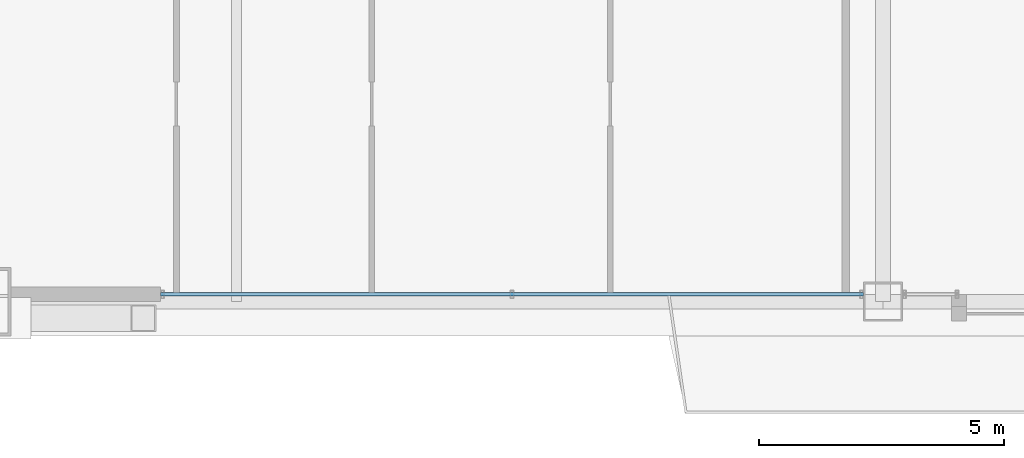
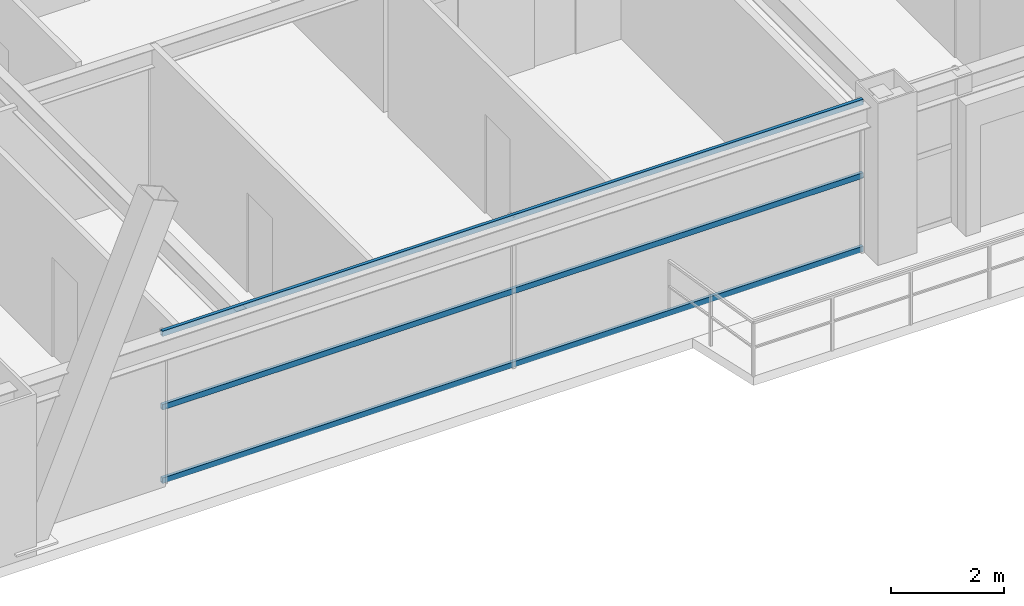
# One storey, part 7 of 45: 3 members, 1 element without a shape of its own.
"""IFC4 building model written with IfcOpenShell, lengths in metres."""

import ifcopenshell
import ifcopenshell.guid

model = None  # the IFC model being written
_history = None  # IfcOwnerHistory: only IFC2X3 demands one
_inside = {}  # id of a spatial element -> (the spatial element, [elements in it])
_under = {}  # id of a project, library or spatial element -> (it, [spatial elements below it])
_declared = {}  # id of a project -> (the project, [libraries it declares])
_typed = {}  # id of a type object -> (the type object, [elements of that type])
_made_of = {}  # id of a material, layer set ... -> (it, [elements and type objects made of it])


def new_model(schema):
    """Start an empty IFC model of exactly this schema.

    Asked for "IFC4X3", IfcOpenShell would pick the latest addendum, in which some entities
    have other attributes; the version numbers below select the first issue.
    IFC2X3 requires an IfcOwnerHistory on every rooted entity: one is made here for all.
    """
    global model, _history
    if schema == "IFC4X3":
        model = ifcopenshell.file(schema_version=(4, 3, 0, 0))
    else:
        model = ifcopenshell.file(schema=schema)
    _inside.clear()
    _under.clear()
    _declared.clear()
    _typed.clear()
    _made_of.clear()
    _history = None
    if model.schema == "IFC2X3":
        org = make("IfcOrganization", Name="unknown")
        user = make(
            "IfcPersonAndOrganization",
            ThePerson=make("IfcPerson", FamilyName="unknown"),
            TheOrganization=org,
        )
        app = make(
            "IfcApplication",
            ApplicationDeveloper=org,
            Version="unknown",
            ApplicationFullName="unknown",
            ApplicationIdentifier="unknown",
        )
        _history = make(
            "IfcOwnerHistory",
            OwningUser=user,
            OwningApplication=app,
            ChangeAction="ADDED",
            CreationDate=0,
        )
    return model


def make(cls, **values):
    """One entity of the class cls with the attributes given. An attribute that is None is left unset."""
    return model.create_entity(
        cls, **{name: value for name, value in values.items() if value is not None}
    )


def rooted(cls, **values):
    """An entity with a GlobalId (a new one), such as an element, a storey or a relation."""
    return make(cls, GlobalId=ifcopenshell.guid.new(), OwnerHistory=_history, **values)


def si_unit(unit_type, name, prefix=None):
    """IfcSIUnit, for example si_unit("LENGTHUNIT", "METRE", prefix="MILLI")."""
    return make("IfcSIUnit", UnitType=unit_type, Prefix=prefix, Name=name)


def assignment(units):
    """IfcUnitAssignment: the units of a project."""
    return None if units is None else make("IfcUnitAssignment", Units=units)


def point(xyz):
    """IfcCartesianPoint."""
    return None if xyz is None else make("IfcCartesianPoint", Coordinates=xyz)


def direction(xyz):
    """IfcDirection."""
    return None if xyz is None else make("IfcDirection", DirectionRatios=xyz)


def frame(location, z_axis=None, x_axis=None):
    """IfcAxis2Placement3D, a coordinate frame: its origin and axes. An axis left out is left unset."""
    return make(
        "IfcAxis2Placement3D",
        Location=point(location),
        Axis=direction(z_axis),
        RefDirection=direction(x_axis),
    )


def frame_2d(location, x_axis=None):
    """IfcAxis2Placement2D, a coordinate frame in the plane: its origin and x axis."""
    return make(
        "IfcAxis2Placement2D", Location=point(location), RefDirection=direction(x_axis)
    )


def origin():
    """The frame at (0, 0, 0) with its axes left unset."""
    return frame((0.0, 0.0, 0.0))


def origin_2d():
    """The frame at (0, 0) in the plane with its x axis left unset."""
    return frame_2d((0.0, 0.0))


def place(relative_to, where):
    """IfcLocalPlacement: puts the frame where relative to a parent placement (None: the world)."""
    return make(
        "IfcLocalPlacement", PlacementRelTo=relative_to, RelativePlacement=where
    )


def context(
    kind, dimensions, precision=None, world=None, true_north=None, identifier=None
):
    """IfcGeometricRepresentationContext, for example the 3D "Model" context."""
    return make(
        "IfcGeometricRepresentationContext",
        ContextIdentifier=identifier,
        ContextType=kind,
        CoordinateSpaceDimension=dimensions,
        Precision=precision,
        WorldCoordinateSystem=world,
        TrueNorth=true_north,
    )


def subcontext(parent, identifier, kind, view, scale=None):
    """IfcGeometricRepresentationSubContext, for example "Body" below "Model"."""
    return make(
        "IfcGeometricRepresentationSubContext",
        ContextIdentifier=identifier,
        ContextType=kind,
        ParentContext=parent,
        TargetScale=scale,
        TargetView=view,
    )


def project(units=None, contexts=None):
    """IfcProject with its units and contexts."""
    return rooted(
        "IfcProject",
        Name="project",
        RepresentationContexts=contexts,
        UnitsInContext=assignment(units),
    )


def spatial(cls, under=None, at=None, **own):
    """A site, building, storey or space (cls), placed at a placement, below another one or the project."""
    s = rooted(cls, ObjectPlacement=at, **own)
    if under is not None:
        _under.setdefault(under.id(), (under, []))[1].append(s)
    return s


def profile(cls, at=None, kind="AREA", **sizes):
    """A parametric profile (cls). Its sizes go by their IFC names, for example OverallWidth=200.0."""
    return make(cls, ProfileType=kind, Position=at, **sizes)


def hollow_rectangle(**sizes):
    """IfcRectangleHollowProfileDef."""
    return profile("IfcRectangleHollowProfileDef", **sizes)


def extrude(swept, where, along, depth):
    """IfcExtrudedAreaSolid: the profile swept, set in the frame where, extruded along a direction by depth."""
    return make(
        "IfcExtrudedAreaSolid",
        SweptArea=swept,
        Position=where,
        ExtrudedDirection=direction(along),
        Depth=depth,
    )


def shape(context_of_items, identifier, shape_type, items):
    """IfcShapeRepresentation: the items that make up one representation, for example the "Body"."""
    return make(
        "IfcShapeRepresentation",
        ContextOfItems=context_of_items,
        RepresentationIdentifier=identifier,
        RepresentationType=shape_type,
        Items=items,
    )


def source(mapping_origin, context_of_items, identifier, shape_type, items):
    """IfcRepresentationMap: a shape defined once, which mapped items show again and again."""
    return make(
        "IfcRepresentationMap",
        MappingOrigin=mapping_origin,
        MappedRepresentation=shape(context_of_items, identifier, shape_type, items),
    )


def transform(
    local_origin,
    x_axis=None,
    y_axis=None,
    z_axis=None,
    scale=None,
    scale2=None,
    scale3=None,
    uniform=True,
):
    """IfcCartesianTransformationOperator3D, or its non-uniform kind. x_axis, y_axis, z_axis: its Axis1, 2, 3."""
    if uniform:
        return make(
            "IfcCartesianTransformationOperator3D",
            Axis1=direction(x_axis),
            Axis2=direction(y_axis),
            LocalOrigin=point(local_origin),
            Scale=scale,
            Axis3=direction(z_axis),
        )
    return make(
        "IfcCartesianTransformationOperator3DnonUniform",
        Axis1=direction(x_axis),
        Axis2=direction(y_axis),
        LocalOrigin=point(local_origin),
        Scale=scale,
        Axis3=direction(z_axis),
        Scale2=scale2,
        Scale3=scale3,
    )


def mapped(mapping_source, mapping_target):
    """IfcMappedItem: shows the shape of a source again, moved by a transform."""
    return make(
        "IfcMappedItem", MappingSource=mapping_source, MappingTarget=mapping_target
    )


def material(Name=None, Category=None):
    """IfcMaterial."""
    return make("IfcMaterial", Name=Name, Category=Category)


def layer(
    of_material, thickness, ventilated=None, Name=None, Category=None, Priority=None
):
    """IfcMaterialLayer: one layer of a wall or slab, of a material (None: an air gap)."""
    return make(
        "IfcMaterialLayer",
        Material=of_material,
        LayerThickness=thickness,
        IsVentilated=ventilated,
        Name=Name,
        Category=Category,
        Priority=Priority,
    )


def layer_set(layers, Name=None):
    """IfcMaterialLayerSet."""
    return make("IfcMaterialLayerSet", MaterialLayers=layers, LayerSetName=Name)


def material_profile(
    of_material, cross_section, Name=None, Category=None, Priority=None
):
    """IfcMaterialProfile: a cross section and its material."""
    return make(
        "IfcMaterialProfile",
        Name=Name,
        Material=of_material,
        Profile=cross_section,
        Priority=Priority,
        Category=Category,
    )


def profile_set(profiles, Name=None, composite=None):
    """IfcMaterialProfileSet."""
    return make(
        "IfcMaterialProfileSet",
        Name=Name,
        MaterialProfiles=profiles,
        CompositeProfile=composite,
    )


def made_of(thing, what):
    """Note that an element or type object is made of a material, layer set ...; save() writes the relation."""
    if what is not None:
        _made_of.setdefault(what.id(), (what, []))[1].append(thing)
    return thing


def type_object(cls, material=None, **own):
    """A type object (cls), such as IfcWallType, which elements share."""
    return made_of(rooted(cls, **own), material)


def element(
    cls,
    number,
    at=None,
    inside=None,
    cuts=None,
    type_object=None,
    material=None,
    context=None,
    identifier="Body",
    shape_type=None,
    held_by="IfcProductDefinitionShape",
    body=None,
    shapes=None,
    **own,
):
    """One element of the class cls, such as IfcWall. Its Tag is "e" and its number.

    at: its placement. inside: the storey or other place that contains it. cuts: it is an
    opening in that element (IfcRelVoidsElement). A single representation is given by context,
    identifier, shape_type and body (its items); several are given by shapes. held_by: the class
    of the entity that holds the representations. save() writes the other relations.
    """
    e = rooted(cls, Tag="e%d" % number, ObjectPlacement=at, **own)
    if body is not None:
        shapes = [shape(context, identifier, shape_type, body)]
    if shapes is not None:
        e.Representation = make(held_by, Representations=shapes)
    if inside is not None:
        _inside.setdefault(inside.id(), (inside, []))[1].append(e)
    if cuts is not None:
        rooted(
            "IfcRelVoidsElement", RelatingBuildingElement=cuts, RelatedOpeningElement=e
        )
    if type_object is not None:
        _typed.setdefault(type_object.id(), (type_object, []))[1].append(e)
    return made_of(e, material)


def aggregate(whole, parts):
    """IfcRelAggregates: a whole, such as a stair, and the parts it consists of."""
    return rooted("IfcRelAggregates", RelatingObject=whole, RelatedObjects=parts)


def save(model, path):
    """Write the relations noted so far, then the file.

    IfcRelAggregates (storeys below a building ...), IfcRelContainedInSpatialStructure (elements
    in a storey), IfcRelDefinesByType, IfcRelAssociatesMaterial and IfcRelDeclares: one each for
    every whole, place, type object, material and project.
    """
    for whole, parts in _under.values():
        aggregate(whole, parts)
    for where, things in _inside.values():
        rooted(
            "IfcRelContainedInSpatialStructure",
            RelatedElements=things,
            RelatingStructure=where,
        )
    for kind, things in _typed.values():
        rooted("IfcRelDefinesByType", RelatedObjects=things, RelatingType=kind)
    for what, things in _made_of.values():
        rooted("IfcRelAssociatesMaterial", RelatedObjects=things, RelatingMaterial=what)
    for by, libraries in _declared.values():
        rooted("IfcRelDeclares", RelatingContext=by, RelatedDefinitions=libraries)
    model.write(path)


model = new_model("IFC4")

# Units and contexts
model_context = context("Model", 3, precision=1e-05, world=origin(), true_north=direction((0.0, 1.0)))
body_context = subcontext(model_context, "Body", "Model", "MODEL_VIEW")
ifc_project = project(units=[si_unit("LENGTHUNIT", "METRE"), si_unit("AREAUNIT", "SQUARE_METRE"), si_unit("VOLUMEUNIT", "CUBIC_METRE"), si_unit("PLANEANGLEUNIT", "RADIAN"), si_unit("MASSUNIT", "GRAM", prefix="KILO"), si_unit("THERMODYNAMICTEMPERATUREUNIT", "KELVIN"), si_unit("POWERUNIT", "WATT")], contexts=[model_context])

# Site, building, storey
site_placement = place(None, origin())
site = spatial("IfcSite", under=ifc_project, at=site_placement, CompositionType="ELEMENT")
building_placement = place(site_placement, origin())
building = spatial("IfcBuilding", under=site, at=building_placement, Name="Yuzanri Waterfront Tower", CompositionType="ELEMENT")
storey_placement = place(building_placement, frame((0.0, 0.0, 191.5)))
storey = spatial("IfcBuildingStorey", under=building, at=storey_placement, Name="L50", CompositionType="ELEMENT", Elevation=191.5)

# Curtain wall, members
ifc_material_1 = material(Name="Anodized Architectural Bronze", Category="metal")
ifc_layer = layer(ifc_material_1, 0.159912109375)
ifc_layer_set = layer_set([ifc_layer], Name="Anodized Architectural Bronze")
curtain_wall_type = type_object("IfcCurtainWallType", Name="Anodized Bronze Mid-Rise Residential Acoustic Unitized Curtain Wall 7200", PredefinedType="NOTDEFINED", material=ifc_layer_set)
curtain_wall_placement = place(storey_placement, origin())
curtain_wall = element("IfcCurtainWall", 1, at=curtain_wall_placement, inside=storey, type_object=curtain_wall_type, Name="L50 Curtain Wall CW-L50-SL", PredefinedType="NOTDEFINED")
ifc_material_2 = material(Name="Anodized Architectural Bronze", Category="metal")
ifc_material_profile = material_profile(ifc_material_2, hollow_rectangle(XDim=0.06494140625, YDim=0.1201171875, WallThickness=0.00341796875, at=origin_2d()), Name="CWT 65x120")
ifc_profile_set = profile_set([ifc_material_profile], Name="Anodized Architectural Bronze")
member_type = type_object("IfcMemberType", Name="Anodized Bronze Secondary Curtain-Wall Transom 65x120", PredefinedType="USERDEFINED", material=ifc_profile_set)
shared_shape = source(origin(), body_context, "Body", "SweptSolid", [
    extrude(hollow_rectangle(XDim=0.06494140625, YDim=0.1201171875, WallThickness=0.00341796875, at=origin_2d()), origin(), (0.0, 0.0, 1.0), 14.35009765625),
])
member_1_placement = place(storey_placement, frame((22.25, 3.85009765625, 0.050048828125), z_axis=(1.0, 0.0, 0.0), x_axis=(0.0, 1.0, 0.0)))
member_1 = element("IfcMember", 2, at=member_1_placement, type_object=member_type, Name="CW-L50-SL Transom 1", ObjectType="TRANSOM", PredefinedType="USERDEFINED", context=body_context, shape_type="MappedRepresentation", body=[
    mapped(shared_shape, transform((0.0, 0.0, 0.0), scale=1.0)),
])
member_2_placement = place(storey_placement, frame((22.25, 3.85009765625, 1.639892578125), z_axis=(1.0, 0.0, 0.0), x_axis=(0.0, 1.0, 0.0)))
member_2 = element("IfcMember", 3, at=member_2_placement, type_object=member_type, Name="CW-L50-SL Transom 2", ObjectType="TRANSOM", PredefinedType="USERDEFINED", context=body_context, shape_type="MappedRepresentation", body=[
    mapped(shared_shape, transform((0.0, 0.0, 0.0), scale=1.0)),
])
member_3_placement = place(storey_placement, frame((22.25, 3.85009765625, 3.22998046875), z_axis=(1.0, 0.0, 0.0), x_axis=(0.0, 1.0, 0.0)))
member_3 = element("IfcMember", 4, at=member_3_placement, type_object=member_type, Name="CW-L50-SL Transom 3", ObjectType="TRANSOM", PredefinedType="USERDEFINED", context=body_context, shape_type="MappedRepresentation", body=[
    mapped(shared_shape, transform((0.0, 0.0, 0.0), scale=1.0)),
])
aggregate(curtain_wall, [member_1, member_2, member_3])

save(model, "model.ifc")
